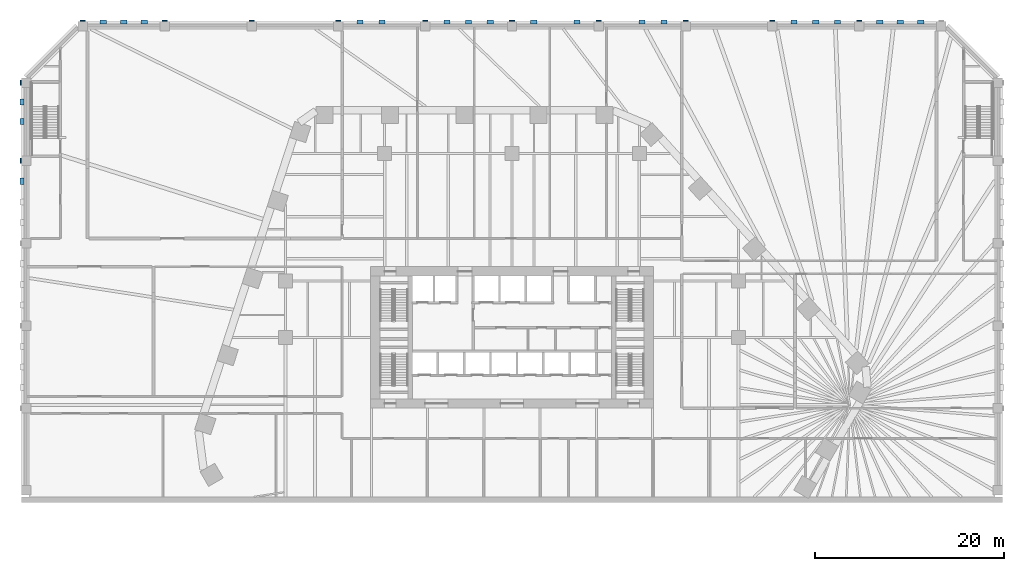
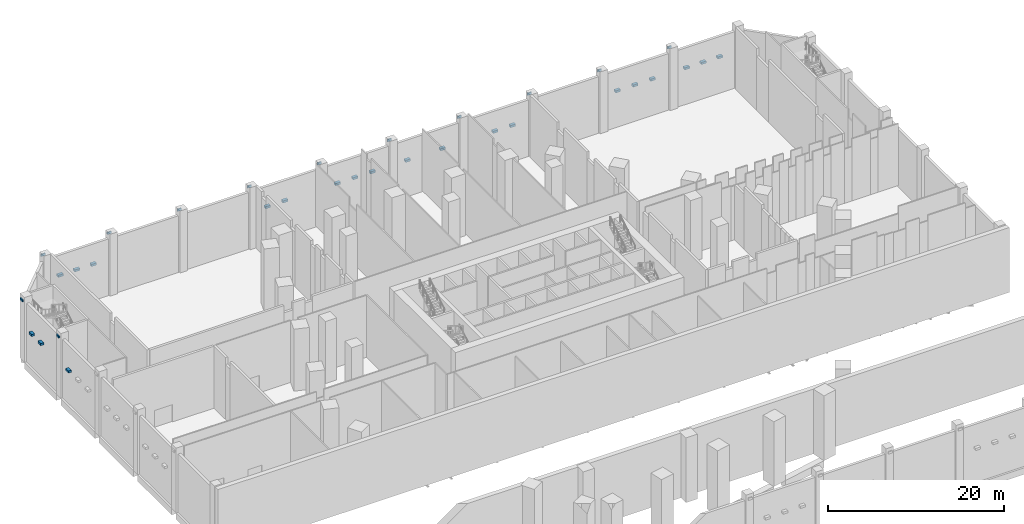
# One storey, part 17 of 23: 33 discrete accessories.
"""IFC4 building model written with IfcOpenShell, lengths in metres."""

from ifc_helpers import new_model, si_unit, direction, frame, origin, origin_2d, place, context, subcontext, project, spatial, rectangle, extrude, material, type_object, element, save


model = new_model("IFC4")

# Units and contexts
model_context = context("Model", 3, precision=1e-05, world=origin(), true_north=direction((0.0, 1.0)))
body_context = subcontext(model_context, "Body", "Model", "MODEL_VIEW")
ifc_project = project(units=[si_unit("LENGTHUNIT", "METRE"), si_unit("AREAUNIT", "SQUARE_METRE"), si_unit("VOLUMEUNIT", "CUBIC_METRE"), si_unit("PLANEANGLEUNIT", "RADIAN"), si_unit("MASSUNIT", "GRAM", prefix="KILO")], contexts=[model_context])

# Site, building, storey
site_placement = place(None, origin())
site = spatial("IfcSite", under=ifc_project, at=site_placement, CompositionType="ELEMENT")
building_placement = place(site_placement, origin())
building = spatial("IfcBuilding", under=site, at=building_placement, Name="Isthmus Gate Tower", CompositionType="ELEMENT")
storey_placement = place(building_placement, frame((0.0, 0.0, 9.0)))
storey = spatial("IfcBuildingStorey", under=building, at=storey_placement, Name="L01", CompositionType="ELEMENT", Elevation=9.0)

# Discrete accessories
ifc_material_1 = material(Name="Structural steel ASTM A572 Gr 50, white paint system", Category="steel")
discrete_accessory_type_1 = type_object("IfcDiscreteAccessoryType", Name="FIN BRACKET 544 X 150 X 300", PredefinedType="BRACKET", material=ifc_material_1)
for number, where, z_axis, x_axis, name in (
    (1, (36.800048828125, 41.074951171875, 7.85009765625), (0.0, 0.0, 1.0), (0.0, 1.0, 0.0), "FIN BRACKET"),
    (2, (27.60009765625, 41.074951171875, 7.85009765625), (0.0, 0.0, 1.0), (0.0, 1.0, 0.0), "FIN BRACKET"),
    (3, (18.39990234375, 41.074951171875, 7.85009765625), (0.0, 0.0, 1.0), (0.0, 1.0, 0.0), "FIN BRACKET"),
    (4, (9.199951171875, 41.074951171875, 7.85009765625), (0.0, 0.0, 1.0), (0.0, 1.0, 0.0), "FIN BRACKET"),
    (5, (0.0, 41.074951171875, 7.85009765625), (0.0, 0.0, 1.0), (0.0, 1.0, 0.0), "FIN BRACKET"),
    (6, (-9.199951171875, 41.074951171875, 7.85009765625), (0.0, 0.0, 1.0), (0.0, 1.0, 0.0), "FIN BRACKET"),
    (7, (-18.39990234375, 41.074951171875, 7.85009765625), (0.0, 0.0, 1.0), (0.0, 1.0, 0.0), "FIN BRACKET"),
    (8, (-27.60009765625, 41.074951171875, 7.85009765625), (0.0, 0.0, 1.0), (0.0, 1.0, 0.0), "FIN BRACKET"),
    (9, (-36.800048828125, 41.074951171875, 7.85009765625), (0.0, 0.0, 1.0), (0.0, 1.0, 0.0), "FIN BRACKET"),
    (10, (-45.5, 41.074951171875, 7.85009765625), (0.0, 0.0, 1.0), (0.0, 1.0, 0.0), "FIN BRACKET"),
    (11, (-52.074951171875, 34.5, 7.85009765625), (0.0, 0.0, 1.0), (-1.0, 0.0, 0.0), "FIN BRACKET"),
    (12, (-52.074951171875, 26.25, 7.85009765625), (0.0, 0.0, 1.0), (-1.0, 0.0, 0.0), "FIN BRACKET"),
):
    element("IfcDiscreteAccessory", number, at=place(storey_placement, frame(where, z_axis=z_axis, x_axis=x_axis)), inside=storey, type_object=discrete_accessory_type_1, Name=name, PredefinedType="BRACKET", context=body_context, shape_type="SweptSolid", body=[
        extrude(rectangle(XDim=0.14990234375, YDim=0.54443359375, at=origin_2d()), origin(), (0.0, 0.0, 1.0), 0.300048828125),
    ])
ifc_material_2 = material(Name="Structural steel ASTM A572 Gr 50, white paint system", Category="steel")
discrete_accessory_type_2 = type_object("IfcDiscreteAccessoryType", Name="FIN BRACKET 647 X 400 X 300", PredefinedType="BRACKET", material=ifc_material_2)
for number, where, z_axis, x_axis, name in (
    (13, (43.324951171875, 40.949951171875, 4.35009765625), (0.0, 0.0, 1.0), (0.0, 1.0, 0.0), "FIN BRACKET"),
    (14, (41.14990234375, 40.949951171875, 4.35009765625), (0.0, 0.0, 1.0), (0.0, 1.0, 0.0), "FIN BRACKET"),
    (15, (38.97509765625, 40.949951171875, 4.35009765625), (0.0, 0.0, 1.0), (0.0, 1.0, 0.0), "FIN BRACKET"),
    (16, (34.5, 40.949951171875, 4.35009765625), (0.0, 0.0, 1.0), (0.0, 1.0, 0.0), "FIN BRACKET"),
    (17, (32.199951171875, 40.949951171875, 4.35009765625), (0.0, 0.0, 1.0), (0.0, 1.0, 0.0), "FIN BRACKET"),
    (18, (29.89990234375, 40.949951171875, 4.35009765625), (0.0, 0.0, 1.0), (0.0, 1.0, 0.0), "FIN BRACKET"),
    (19, (16.10009765625, 40.949951171875, 4.35009765625), (0.0, 0.0, 1.0), (0.0, 1.0, 0.0), "FIN BRACKET"),
    (20, (13.800048828125, 40.949951171875, 4.35009765625), (0.0, 0.0, 1.0), (0.0, 1.0, 0.0), "FIN BRACKET"),
    (21, (6.89990234375, 40.949951171875, 4.35009765625), (0.0, 0.0, 1.0), (0.0, 1.0, 0.0), "FIN BRACKET"),
    (22, (2.300048828125, 40.949951171875, 4.35009765625), (0.0, 0.0, 1.0), (0.0, 1.0, 0.0), "FIN BRACKET"),
    (23, (-2.300048828125, 40.949951171875, 4.35009765625), (0.0, 0.0, 1.0), (0.0, 1.0, 0.0), "FIN BRACKET"),
    (24, (-4.60009765625, 40.949951171875, 4.35009765625), (0.0, 0.0, 1.0), (0.0, 1.0, 0.0), "FIN BRACKET"),
    (25, (-6.89990234375, 40.949951171875, 4.35009765625), (0.0, 0.0, 1.0), (0.0, 1.0, 0.0), "FIN BRACKET"),
    (26, (-13.800048828125, 40.949951171875, 4.35009765625), (0.0, 0.0, 1.0), (0.0, 1.0, 0.0), "FIN BRACKET"),
    (27, (-16.10009765625, 40.949951171875, 4.35009765625), (0.0, 0.0, 1.0), (0.0, 1.0, 0.0), "FIN BRACKET"),
    (28, (-38.97509765625, 40.949951171875, 4.35009765625), (0.0, 0.0, 1.0), (0.0, 1.0, 0.0), "FIN BRACKET"),
    (29, (-41.14990234375, 40.949951171875, 4.35009765625), (0.0, 0.0, 1.0), (0.0, 1.0, 0.0), "FIN BRACKET"),
    (30, (-43.324951171875, 40.949951171875, 4.35009765625), (0.0, 0.0, 1.0), (0.0, 1.0, 0.0), "FIN BRACKET"),
    (31, (-51.949951171875, 32.4375, 4.35009765625), (0.0, 0.0, 1.0), (-1.0, 0.0, 0.0), "FIN BRACKET"),
    (32, (-51.949951171875, 30.375, 4.35009765625), (0.0, 0.0, 1.0), (-1.0, 0.0, 0.0), "FIN BRACKET"),
    (33, (-51.949951171875, 24.0625, 4.35009765625), (0.0, 0.0, 1.0), (-1.0, 0.0, 0.0), "FIN BRACKET"),
):
    element("IfcDiscreteAccessory", number, at=place(storey_placement, frame(where, z_axis=z_axis, x_axis=x_axis)), inside=storey, type_object=discrete_accessory_type_2, Name=name, PredefinedType="BRACKET", context=body_context, shape_type="SweptSolid", body=[
        extrude(rectangle(XDim=0.39990234375, YDim=0.64697265625, at=origin_2d()), origin(), (0.0, 0.0, 1.0), 0.300048828125),
    ])

save(model, "model.ifc")
